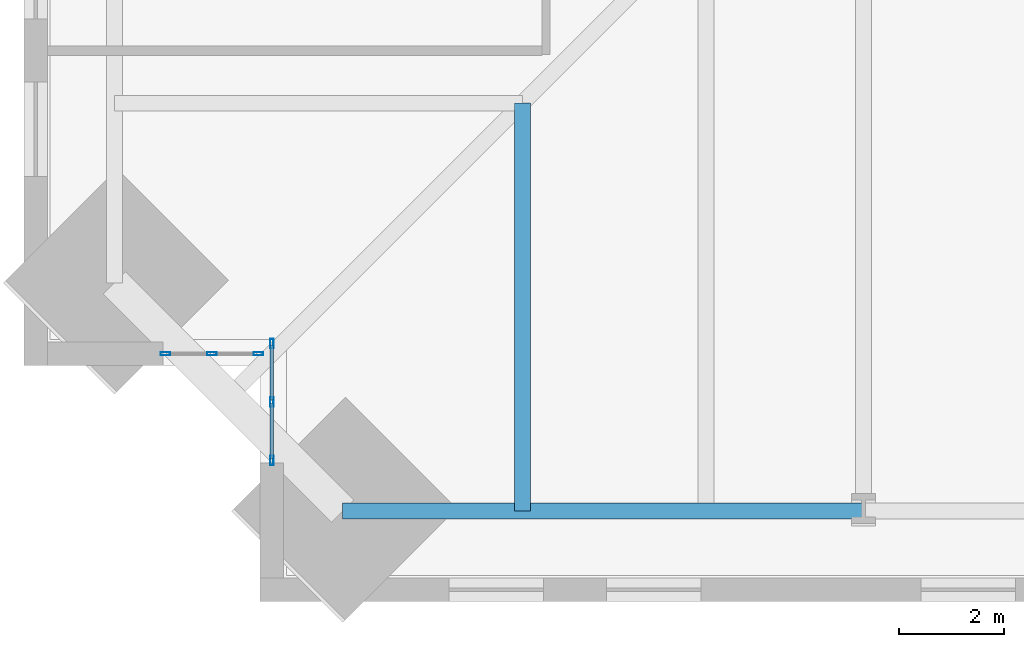
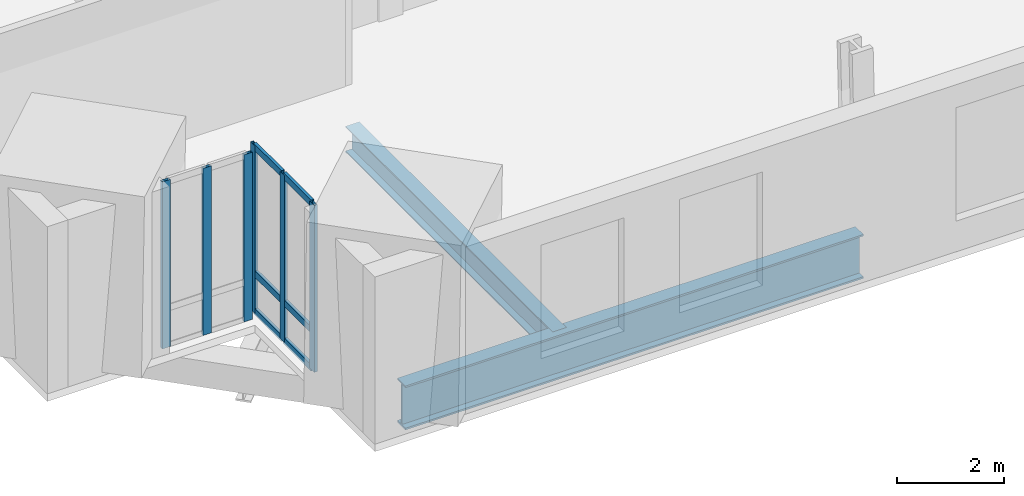
# One storey, part 2 of 15: 12 members, 2 beams, 2 elements without a shape of their own.
"""IFC4 building model written with IfcOpenShell, lengths in metres."""

from ifc_helpers import new_model, si_unit, direction, frame, origin, origin_2d, place, context, subcontext, project, spatial, hollow_rectangle, i_section, extrude, material, material_profile, profile_set, type_object, element, aggregate, save


model = new_model("IFC4")

# Units and contexts
model_context = context("Model", 3, precision=1e-05, world=origin(), true_north=direction((0.0, 1.0)))
body_context = subcontext(model_context, "Body", "Model", "MODEL_VIEW")
ifc_project = project(units=[si_unit("LENGTHUNIT", "METRE"), si_unit("AREAUNIT", "SQUARE_METRE"), si_unit("VOLUMEUNIT", "CUBIC_METRE"), si_unit("PLANEANGLEUNIT", "RADIAN"), si_unit("MASSUNIT", "GRAM", prefix="KILO")], contexts=[model_context])

# Site, building, storey
site_placement = place(None, origin())
site = spatial("IfcSite", under=ifc_project, at=site_placement, CompositionType="ELEMENT")
building_placement = place(site_placement, origin())
building = spatial("IfcBuilding", under=site, at=building_placement, Name="Peilmerk Tower", CompositionType="ELEMENT")
storey_placement = place(building_placement, frame((0.0, 0.0, 213.800048828125)))
storey = spatial("IfcBuildingStorey", under=building, at=storey_placement, Name="L46", CompositionType="ELEMENT", Elevation=213.800048828125)

# Beams
ifc_material_1 = material(Name="Steel S355", Category="steel")
ifc_material_profile_1 = material_profile(ifc_material_1, i_section(OverallWidth=0.302001953125, OverallDepth=1.008056640625, WebThickness=0.02099609375, FlangeThickness=0.0400390625, at=origin_2d()), Name="HEM 1000")
ifc_profile_set_1 = profile_set([ifc_material_profile_1], Name="Steel S355")
beam_type_1 = type_object("IfcBeamType", Name="B1 HEM 1000 edge beam", PredefinedType="SPANDREL", material=ifc_profile_set_1)
beam_1_placement = place(storey_placement, frame((-17.92578125, -22.27587890625, -0.674072265625), z_axis=(1.0, 0.0, 0.0), x_axis=(0.0, 1.0, 0.0)))
element("IfcBeam", 1, at=beam_1_placement, inside=storey, type_object=beam_type_1, Name="Edge beam L46", PredefinedType="SPANDREL", context=body_context, shape_type="SweptSolid", body=[
    extrude(i_section(OverallWidth=0.302001953125, OverallDepth=1.008056640625, WebThickness=0.02099609375, FlangeThickness=0.0400390625, at=origin_2d()), origin(), (0.0, 0.0, 1.0), 9.92578125),
])
ifc_material_profile_2 = material_profile(ifc_material_1, i_section(OverallWidth=0.300048828125, OverallDepth=0.590087890625, WebThickness=0.012939453125, FlangeThickness=0.02490234375, at=origin_2d()), Name="HEA 600")
ifc_profile_set_2 = profile_set([ifc_material_profile_2], Name="Steel S355")
beam_type_2 = type_object("IfcBeamType", Name="B27 HEA 600 floor beam", PredefinedType="BEAM", material=ifc_profile_set_2)
beam_2_placement = place(storey_placement, frame((-14.5, -14.5, -0.465087890625), z_axis=(0.0, -1.0, 0.0), x_axis=(1.0, 0.0, 0.0)))
element("IfcBeam", 2, at=beam_2_placement, inside=storey, type_object=beam_type_2, Name="Floor beam L46", PredefinedType="BEAM", context=body_context, shape_type="SweptSolid", body=[
    extrude(i_section(OverallWidth=0.300048828125, OverallDepth=0.590087890625, WebThickness=0.012939453125, FlangeThickness=0.02490234375, at=origin_2d()), origin(), (0.0, 0.0, 1.0), 7.77587890625),
])

# Curtain wall, members
ifc_material_2 = material(Name="Aluminium stick curtain wall", Category="aluminium")
curtain_wall_type = type_object("IfcCurtainWallType", Name="CW4 stick curtain wall, 2250 module", PredefinedType="NOTDEFINED", material=ifc_material_2)
curtain_wall_1_placement = place(storey_placement, origin())
curtain_wall_1 = element("IfcCurtainWall", 3, at=curtain_wall_1_placement, inside=storey, type_object=curtain_wall_type, Name="Curtain wall CW4 SWA L46", PredefinedType="NOTDEFINED")
ifc_material_3 = material(Name="Aluminium EN AW-6063 T6", Category="aluminium")
ifc_material_profile_3 = material_profile(ifc_material_3, hollow_rectangle(XDim=0.06494140625, YDim=0.179931640625, WallThickness=0.0029296875, at=origin_2d()), Name="AL 180x65x3")
ifc_profile_set_3 = profile_set([ifc_material_profile_3], Name="Aluminium EN AW-6063 T6")
member_type_1 = type_object("IfcMemberType", Name="CW4-M AL 180x65x3 mullion", PredefinedType="MULLION", material=ifc_profile_set_3)
member_1_placement = place(storey_placement, frame((-19.27490234375, -19.08251953125, 0.0), z_axis=(0.0, 0.0, 1.0), x_axis=(1.0, 0.0, 0.0)))
member_1 = element("IfcMember", 4, at=member_1_placement, type_object=member_type_1, Name="CW4 mullion 1", PredefinedType="MULLION", context=body_context, shape_type="SweptSolid", body=[
    extrude(hollow_rectangle(XDim=0.06494140625, YDim=0.179931640625, WallThickness=0.0029296875, at=origin_2d()), origin(), (0.0, 0.0, 1.0), 3.829833984375),
])
member_2_placement = place(storey_placement, frame((-19.27490234375, -20.1943359375, 0.0), z_axis=(0.0, 0.0, 1.0), x_axis=(1.0, 0.0, 0.0)))
member_2 = element("IfcMember", 5, at=member_2_placement, type_object=member_type_1, Name="CW4 mullion 2", PredefinedType="MULLION", context=body_context, shape_type="SweptSolid", body=[
    extrude(hollow_rectangle(XDim=0.06494140625, YDim=0.179931640625, WallThickness=0.0029296875, at=origin_2d()), origin(), (0.0, 0.0, 1.0), 3.829833984375),
])
member_3_placement = place(storey_placement, frame((-19.27490234375, -21.30615234375, 0.0), z_axis=(0.0, 0.0, 1.0), x_axis=(1.0, 0.0, 0.0)))
member_3 = element("IfcMember", 6, at=member_3_placement, type_object=member_type_1, Name="CW4 mullion 3", PredefinedType="MULLION", context=body_context, shape_type="SweptSolid", body=[
    extrude(hollow_rectangle(XDim=0.06494140625, YDim=0.179931640625, WallThickness=0.0029296875, at=origin_2d()), origin(), (0.0, 0.0, 1.0), 3.829833984375),
])

curtain_wall_2_placement = place(storey_placement, origin())
curtain_wall_2 = element("IfcCurtainWall", 7, at=curtain_wall_2_placement, inside=storey, type_object=curtain_wall_type, Name="Curtain wall CW4 SWB L46", PredefinedType="NOTDEFINED")
member_4_placement = place(storey_placement, frame((-19.532470703125, -19.27490234375, 0.0), z_axis=(0.0, 0.0, 1.0), x_axis=(0.0, -1.0, 0.0)))
member_4 = element("IfcMember", 8, at=member_4_placement, type_object=member_type_1, Name="CW4 mullion 1", PredefinedType="MULLION", context=body_context, shape_type="SweptSolid", body=[
    extrude(hollow_rectangle(XDim=0.06494140625, YDim=0.179931640625, WallThickness=0.0029296875, at=origin_2d()), origin(), (0.0, 0.0, 1.0), 3.829833984375),
])
member_5_placement = place(storey_placement, frame((-20.41943359375, -19.27490234375, 0.0), z_axis=(0.0, 0.0, 1.0), x_axis=(0.0, -1.0, 0.0)))
member_5 = element("IfcMember", 9, at=member_5_placement, type_object=member_type_1, Name="CW4 mullion 2", PredefinedType="MULLION", context=body_context, shape_type="SweptSolid", body=[
    extrude(hollow_rectangle(XDim=0.06494140625, YDim=0.179931640625, WallThickness=0.0029296875, at=origin_2d()), origin(), (0.0, 0.0, 1.0), 3.829833984375),
])
member_6_placement = place(storey_placement, frame((-21.30615234375, -19.27490234375, 0.0), z_axis=(0.0, 0.0, 1.0), x_axis=(0.0, -1.0, 0.0)))
member_6 = element("IfcMember", 10, at=member_6_placement, type_object=member_type_1, Name="CW4 mullion 3", PredefinedType="MULLION", context=body_context, shape_type="SweptSolid", body=[
    extrude(hollow_rectangle(XDim=0.06494140625, YDim=0.179931640625, WallThickness=0.0029296875, at=origin_2d()), origin(), (0.0, 0.0, 1.0), 3.829833984375),
])
aggregate(curtain_wall_2, [member_4, member_5, member_6])

# Member
ifc_material_profile_4 = material_profile(ifc_material_3, hollow_rectangle(XDim=0.06494140625, YDim=0.14990234375, WallThickness=0.0029296875, at=origin_2d()), Name="AL 150x65x3")
ifc_profile_set_4 = profile_set([ifc_material_profile_4], Name="Aluminium EN AW-6063 T6")
member_type_2 = type_object("IfcMemberType", Name="CW4-T AL 150x65x3 transom", PredefinedType="USERDEFINED", material=ifc_profile_set_4)
member_7_placement = place(storey_placement, frame((-19.27490234375, -19.114990234375, 0.032470703125), z_axis=(0.0, -1.0, 0.0), x_axis=(1.0, 0.0, 0.0)))
member_7 = element("IfcMember", 11, at=member_7_placement, type_object=member_type_2, Name="CW4 transom 1.1", ObjectType="TRANSOM", PredefinedType="USERDEFINED", context=body_context, shape_type="SweptSolid", body=[
    extrude(hollow_rectangle(XDim=0.06494140625, YDim=0.14990234375, WallThickness=0.0029296875, at=origin_2d()), origin(), (0.0, 0.0, 1.0), 1.046875),
])

member_8_placement = place(storey_placement, frame((-19.27490234375, -19.114990234375, 0.89990234375), z_axis=(0.0, -1.0, 0.0), x_axis=(1.0, 0.0, 0.0)))
member_8 = element("IfcMember", 12, at=member_8_placement, type_object=member_type_2, Name="CW4 transom 1.2", ObjectType="TRANSOM", PredefinedType="USERDEFINED", context=body_context, shape_type="SweptSolid", body=[
    extrude(hollow_rectangle(XDim=0.06494140625, YDim=0.14990234375, WallThickness=0.0029296875, at=origin_2d()), origin(), (0.0, 0.0, 1.0), 1.046875),
])

member_9_placement = place(storey_placement, frame((-19.27490234375, -19.114990234375, 3.79736328125), z_axis=(0.0, -1.0, 0.0), x_axis=(1.0, 0.0, 0.0)))
member_9 = element("IfcMember", 13, at=member_9_placement, type_object=member_type_2, Name="CW4 transom 1.3", ObjectType="TRANSOM", PredefinedType="USERDEFINED", context=body_context, shape_type="SweptSolid", body=[
    extrude(hollow_rectangle(XDim=0.06494140625, YDim=0.14990234375, WallThickness=0.0029296875, at=origin_2d()), origin(), (0.0, 0.0, 1.0), 1.046875),
])

member_10_placement = place(storey_placement, frame((-19.27490234375, -20.226806640625, 0.032470703125), z_axis=(0.0, -1.0, 0.0), x_axis=(1.0, 0.0, 0.0)))
member_10 = element("IfcMember", 14, at=member_10_placement, type_object=member_type_2, Name="CW4 transom 2.1", ObjectType="TRANSOM", PredefinedType="USERDEFINED", context=body_context, shape_type="SweptSolid", body=[
    extrude(hollow_rectangle(XDim=0.06494140625, YDim=0.14990234375, WallThickness=0.0029296875, at=origin_2d()), origin(), (0.0, 0.0, 1.0), 1.046875),
])

member_11_placement = place(storey_placement, frame((-19.27490234375, -20.226806640625, 0.89990234375), z_axis=(0.0, -1.0, 0.0), x_axis=(1.0, 0.0, 0.0)))
member_11 = element("IfcMember", 15, at=member_11_placement, type_object=member_type_2, Name="CW4 transom 2.2", ObjectType="TRANSOM", PredefinedType="USERDEFINED", context=body_context, shape_type="SweptSolid", body=[
    extrude(hollow_rectangle(XDim=0.06494140625, YDim=0.14990234375, WallThickness=0.0029296875, at=origin_2d()), origin(), (0.0, 0.0, 1.0), 1.046875),
])

member_12_placement = place(storey_placement, frame((-19.27490234375, -20.226806640625, 3.79736328125), z_axis=(0.0, -1.0, 0.0), x_axis=(1.0, 0.0, 0.0)))
member_12 = element("IfcMember", 16, at=member_12_placement, type_object=member_type_2, Name="CW4 transom 2.3", ObjectType="TRANSOM", PredefinedType="USERDEFINED", context=body_context, shape_type="SweptSolid", body=[
    extrude(hollow_rectangle(XDim=0.06494140625, YDim=0.14990234375, WallThickness=0.0029296875, at=origin_2d()), origin(), (0.0, 0.0, 1.0), 1.046875),
])

aggregate(curtain_wall_1, [member_1, member_2, member_3, member_7, member_8, member_9, member_10, member_11, member_12])

save(model, "model.ifc")
